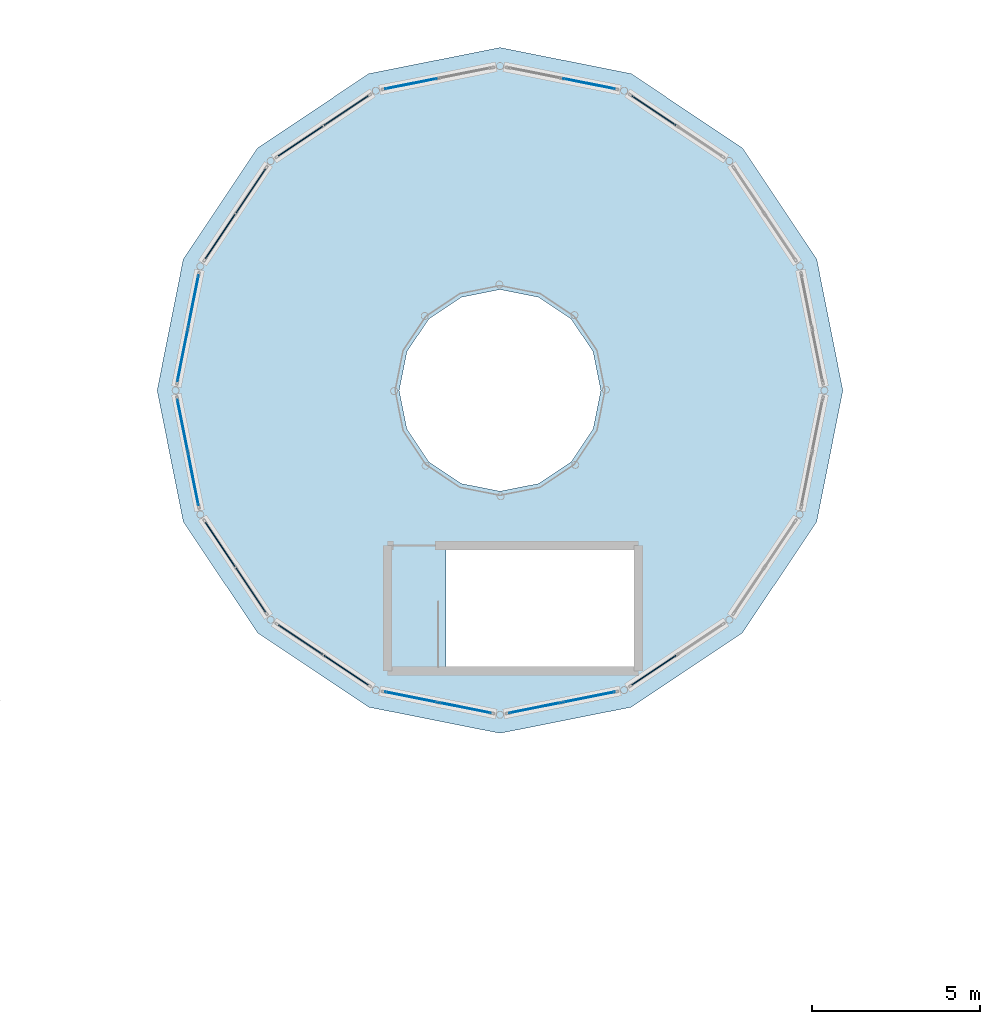
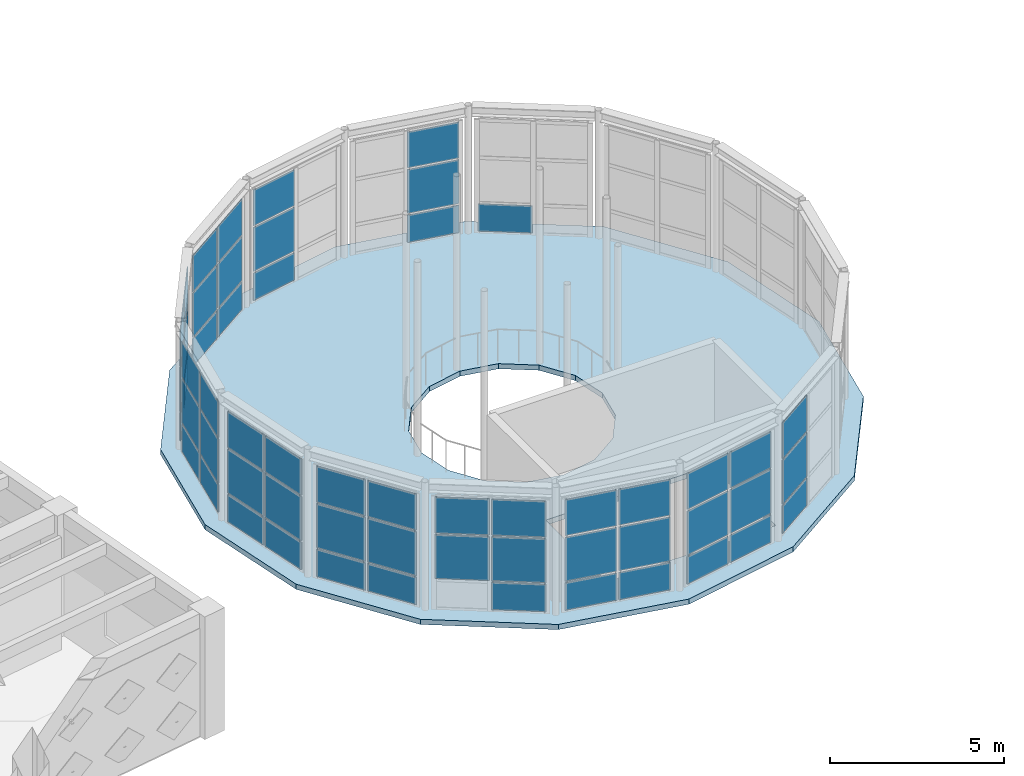
# One storey, part 54 of 80: 57 plates, 1 slab, 12 elements without a shape of their own.
"""IFC4 building model written with IfcOpenShell, lengths in metres."""

from ifc_helpers import new_model, si_unit, direction, frame, origin, origin_2d, place, context, subcontext, project, spatial, polyline, rectangle, outline, extrude, material, layer, layer_set, type_object, element, aggregate, save


model = new_model("IFC4")

# Units and contexts
model_context = context("Model", 3, precision=1e-05, world=origin(), true_north=direction((0.0, 1.0)))
body_context = subcontext(model_context, "Body", "Model", "MODEL_VIEW")
ifc_project = project(units=[si_unit("LENGTHUNIT", "METRE"), si_unit("AREAUNIT", "SQUARE_METRE"), si_unit("VOLUMEUNIT", "CUBIC_METRE"), si_unit("PLANEANGLEUNIT", "RADIAN"), si_unit("MASSUNIT", "GRAM", prefix="KILO")], contexts=[model_context])

# Site, building, storey
site_placement = place(None, origin())
site = spatial("IfcSite", under=ifc_project, at=site_placement, CompositionType="ELEMENT")
building_placement = place(site_placement, origin())
building = spatial("IfcBuilding", under=site, at=building_placement, Name="Kharisveld Research Institute", CompositionType="ELEMENT")
storey_placement = place(building_placement, frame((0.0, 0.0, 5.10009765625)))
storey = spatial("IfcBuildingStorey", under=building, at=storey_placement, Name="L01", CompositionType="ELEMENT", Elevation=5.10009765625)

# Curtain wall, plate
ifc_material_1 = material(Name="Thermally Broken Aluminium Curtain Wall", Category="aluminium")
ifc_layer_1 = layer(ifc_material_1, 0.159912109375)
ifc_layer_set_1 = layer_set([ifc_layer_1], Name="CW_SYS_03")
curtain_wall_type_1 = type_object("IfcCurtainWallType", Name="CW_SYS_03", PredefinedType="NOTDEFINED", material=ifc_layer_set_1)
curtain_wall_1_placement = place(storey_placement, origin())
curtain_wall_1 = element("IfcCurtainWall", 1, at=curtain_wall_1_placement, inside=storey, type_object=curtain_wall_type_1, Name="CW:V6:L01:CHORD02", PredefinedType="NOTDEFINED")
ifc_material_2 = material(Name="Low-E Double Glazing", Category="glass")
ifc_layer_2 = layer(ifc_material_2, 0.028076171875)
ifc_layer_set_2 = layer_set([ifc_layer_2], Name="CW_PNL_GLZ")
plate_type = type_object("IfcPlateType", Name="CW_PNL_GLZ", PredefinedType="CURTAIN_PANEL", material=ifc_layer_set_2)
plate_1_placement = place(storey_placement, frame((64.078369140625, 59.123779296875, 0.059814453125), z_axis=(0.0, 0.0, 1.0), x_axis=(0.831469694616, -0.555570109828, 0.0)))
plate_1 = element("IfcPlate", 2, at=plate_1_placement, type_object=plate_type, Name="CW-03 panel 1.1", PredefinedType="CURTAIN_PANEL", context=body_context, shape_type="SweptSolid", body=[
    extrude(rectangle(XDim=1.570068359375, YDim=0.028076171875, at=origin_2d()), origin(), (0.0, 0.0, 1.0), 0.9599609375),
])
aggregate(curtain_wall_1, [plate_1])

# Curtain wall, plates
ifc_material_3 = material(Name="Thermally Broken Aluminium Curtain Wall", Category="aluminium")
ifc_layer_3 = layer(ifc_material_3, 0.159912109375)
ifc_layer_set_3 = layer_set([ifc_layer_3], Name="CW_SYS_04")
curtain_wall_type_2 = type_object("IfcCurtainWallType", Name="CW_SYS_04", PredefinedType="NOTDEFINED", material=ifc_layer_set_3)
curtain_wall_2_placement = place(storey_placement, origin())
curtain_wall_2 = element("IfcCurtainWall", 3, at=curtain_wall_2_placement, inside=storey, type_object=curtain_wall_type_2, Name="CW:V6:L01:CHORD03", PredefinedType="NOTDEFINED")
plate_2_placement = place(storey_placement, frame((62.148193359375, 59.92333984375, 0.059814453125), z_axis=(0.0, 0.0, 1.0), x_axis=(0.980785199106, -0.195090730724, 0.0)))
plate_2 = element("IfcPlate", 4, at=plate_2_placement, type_object=plate_type, Name="CW-04 panel 2.1", PredefinedType="CURTAIN_PANEL", context=body_context, shape_type="SweptSolid", body=[
    extrude(rectangle(XDim=1.570068359375, YDim=0.028076171875, at=origin_2d()), origin(), (0.0, 0.0, 1.0), 0.9599609375),
])
plate_3_placement = place(storey_placement, frame((62.148193359375, 59.92333984375, 1.079833984375), z_axis=(0.0, 0.0, 1.0), x_axis=(0.980785199106, -0.195090730724, 0.0)))
plate_3 = element("IfcPlate", 5, at=plate_3_placement, type_object=plate_type, Name="CW-04 panel 2.2", PredefinedType="CURTAIN_PANEL", context=body_context, shape_type="SweptSolid", body=[
    extrude(rectangle(XDim=1.570068359375, YDim=0.028076171875, at=origin_2d()), origin(), (0.0, 0.0, 1.0), 1.5400390625),
])
plate_4_placement = place(storey_placement, frame((62.148193359375, 59.92333984375, 2.6796875), z_axis=(0.0, 0.0, 1.0), x_axis=(0.980785199106, -0.195090730724, 0.0)))
plate_4 = element("IfcPlate", 6, at=plate_4_placement, type_object=plate_type, Name="CW-04 panel 2.3", PredefinedType="CURTAIN_PANEL", context=body_context, shape_type="SweptSolid", body=[
    extrude(rectangle(XDim=1.570068359375, YDim=0.028076171875, at=origin_2d()), origin(), (0.0, 0.0, 1.0), 1.260009765625),
])
aggregate(curtain_wall_2, [plate_2, plate_3, plate_4])

ifc_material_4 = material(Name="Thermally Broken Aluminium Curtain Wall", Category="aluminium")
ifc_layer_4 = layer(ifc_material_4, 0.159912109375)
ifc_layer_set_4 = layer_set([ifc_layer_4], Name="CW_SYS_05")
curtain_wall_type_3 = type_object("IfcCurtainWallType", Name="CW_SYS_05", PredefinedType="NOTDEFINED", material=ifc_layer_set_4)
curtain_wall_3_placement = place(storey_placement, origin())
curtain_wall_3 = element("IfcCurtainWall", 7, at=curtain_wall_3_placement, inside=storey, type_object=curtain_wall_type_3, Name="CW:V6:L01:CHORD04", PredefinedType="NOTDEFINED")
plate_5_placement = place(storey_placement, frame((56.851806640625, 59.92333984375, 0.059814453125), z_axis=(0.0, 0.0, 1.0), x_axis=(0.980785199106, 0.195090730724, 0.0)))
plate_5 = element("IfcPlate", 8, at=plate_5_placement, type_object=plate_type, Name="CW-05 panel 1.1", PredefinedType="CURTAIN_PANEL", context=body_context, shape_type="SweptSolid", body=[
    extrude(rectangle(XDim=1.570068359375, YDim=0.028076171875, at=origin_2d()), origin(), (0.0, 0.0, 1.0), 0.9599609375),
])
plate_6_placement = place(storey_placement, frame((56.851806640625, 59.92333984375, 1.079833984375), z_axis=(0.0, 0.0, 1.0), x_axis=(0.980785199106, 0.195090730724, 0.0)))
plate_6 = element("IfcPlate", 9, at=plate_6_placement, type_object=plate_type, Name="CW-05 panel 1.2", PredefinedType="CURTAIN_PANEL", context=body_context, shape_type="SweptSolid", body=[
    extrude(rectangle(XDim=1.570068359375, YDim=0.028076171875, at=origin_2d()), origin(), (0.0, 0.0, 1.0), 1.5400390625),
])
plate_7_placement = place(storey_placement, frame((56.851806640625, 59.92333984375, 2.6796875), z_axis=(0.0, 0.0, 1.0), x_axis=(0.980785199106, 0.195090730724, 0.0)))
plate_7 = element("IfcPlate", 10, at=plate_7_placement, type_object=plate_type, Name="CW-05 panel 1.3", PredefinedType="CURTAIN_PANEL", context=body_context, shape_type="SweptSolid", body=[
    extrude(rectangle(XDim=1.570068359375, YDim=0.028076171875, at=origin_2d()), origin(), (0.0, 0.0, 1.0), 1.260009765625),
])
aggregate(curtain_wall_3, [plate_5, plate_6, plate_7])

ifc_material_5 = material(Name="Thermally Broken Aluminium Curtain Wall", Category="aluminium")
ifc_layer_5 = layer(ifc_material_5, 0.159912109375)
ifc_layer_set_5 = layer_set([ifc_layer_5], Name="CW_SYS_06")
curtain_wall_type_4 = type_object("IfcCurtainWallType", Name="CW_SYS_06", PredefinedType="NOTDEFINED", material=ifc_layer_set_5)
curtain_wall_4_placement = place(storey_placement, origin())
curtain_wall_4 = element("IfcCurtainWall", 11, at=curtain_wall_4_placement, inside=storey, type_object=curtain_wall_type_4, Name="CW:V6:L01:CHORD05", PredefinedType="NOTDEFINED")
plate_8_placement = place(storey_placement, frame((53.56201171875, 58.21533203125, 0.059814453125), z_axis=(0.0, 0.0, 1.0), x_axis=(0.831469694616, 0.555570109828, 0.0)))
plate_8 = element("IfcPlate", 12, at=plate_8_placement, type_object=plate_type, Name="CW-06 panel 1.1", PredefinedType="CURTAIN_PANEL", context=body_context, shape_type="SweptSolid", body=[
    extrude(rectangle(XDim=1.570068359375, YDim=0.028076171875, at=origin_2d()), origin(), (0.0, 0.0, 1.0), 0.9599609375),
])
plate_9_placement = place(storey_placement, frame((53.56201171875, 58.21533203125, 1.079833984375), z_axis=(0.0, 0.0, 1.0), x_axis=(0.831469694616, 0.555570109828, 0.0)))
plate_9 = element("IfcPlate", 13, at=plate_9_placement, type_object=plate_type, Name="CW-06 panel 1.2", PredefinedType="CURTAIN_PANEL", context=body_context, shape_type="SweptSolid", body=[
    extrude(rectangle(XDim=1.570068359375, YDim=0.028076171875, at=origin_2d()), origin(), (0.0, 0.0, 1.0), 1.5400390625),
])
plate_10_placement = place(storey_placement, frame((53.56201171875, 58.21533203125, 2.6796875), z_axis=(0.0, 0.0, 1.0), x_axis=(0.831469694616, 0.555570109828, 0.0)))
plate_10 = element("IfcPlate", 14, at=plate_10_placement, type_object=plate_type, Name="CW-06 panel 1.3", PredefinedType="CURTAIN_PANEL", context=body_context, shape_type="SweptSolid", body=[
    extrude(rectangle(XDim=1.570068359375, YDim=0.028076171875, at=origin_2d()), origin(), (0.0, 0.0, 1.0), 1.260009765625),
])
plate_11_placement = place(storey_placement, frame((54.921630859375, 59.123779296875, 0.059814453125), z_axis=(0.0, 0.0, 1.0), x_axis=(0.831469694616, 0.555570109828, 0.0)))
plate_11 = element("IfcPlate", 15, at=plate_11_placement, type_object=plate_type, Name="CW-06 panel 2.1", PredefinedType="CURTAIN_PANEL", context=body_context, shape_type="SweptSolid", body=[
    extrude(rectangle(XDim=1.570068359375, YDim=0.028076171875, at=origin_2d()), origin(), (0.0, 0.0, 1.0), 0.9599609375),
])
plate_12_placement = place(storey_placement, frame((54.921630859375, 59.123779296875, 1.079833984375), z_axis=(0.0, 0.0, 1.0), x_axis=(0.831469694616, 0.555570109828, 0.0)))
plate_12 = element("IfcPlate", 16, at=plate_12_placement, type_object=plate_type, Name="CW-06 panel 2.2", PredefinedType="CURTAIN_PANEL", context=body_context, shape_type="SweptSolid", body=[
    extrude(rectangle(XDim=1.570068359375, YDim=0.028076171875, at=origin_2d()), origin(), (0.0, 0.0, 1.0), 1.5400390625),
])
plate_13_placement = place(storey_placement, frame((54.921630859375, 59.123779296875, 2.6796875), z_axis=(0.0, 0.0, 1.0), x_axis=(0.831469694616, 0.555570109828, 0.0)))
plate_13 = element("IfcPlate", 17, at=plate_13_placement, type_object=plate_type, Name="CW-06 panel 2.3", PredefinedType="CURTAIN_PANEL", context=body_context, shape_type="SweptSolid", body=[
    extrude(rectangle(XDim=1.570068359375, YDim=0.028076171875, at=origin_2d()), origin(), (0.0, 0.0, 1.0), 1.260009765625),
])
aggregate(curtain_wall_4, [plate_8, plate_9, plate_10, plate_11, plate_12, plate_13])

ifc_material_6 = material(Name="Thermally Broken Aluminium Curtain Wall", Category="aluminium")
ifc_layer_6 = layer(ifc_material_6, 0.159912109375)
ifc_layer_set_6 = layer_set([ifc_layer_6], Name="CW_SYS_01")
curtain_wall_type_5 = type_object("IfcCurtainWallType", Name="CW_SYS_01", PredefinedType="NOTDEFINED", material=ifc_layer_set_6)
curtain_wall_5_placement = place(storey_placement, origin())
curtain_wall_5 = element("IfcCurtainWall", 18, at=curtain_wall_5_placement, inside=storey, type_object=curtain_wall_type_5, Name="CW:V6:L01:CHORD06", PredefinedType="NOTDEFINED")
plate_14_placement = place(storey_placement, frame((51.17626953125, 55.37841796875, 0.059814453125), z_axis=(0.0, 0.0, 1.0), x_axis=(0.555570109828, 0.831469694616, 0.0)))
plate_14 = element("IfcPlate", 19, at=plate_14_placement, type_object=plate_type, Name="CW-01 panel 1.1", PredefinedType="CURTAIN_PANEL", context=body_context, shape_type="SweptSolid", body=[
    extrude(rectangle(XDim=1.570068359375, YDim=0.028076171875, at=origin_2d()), origin(), (0.0, 0.0, 1.0), 0.9599609375),
])
plate_15_placement = place(storey_placement, frame((51.17626953125, 55.37841796875, 1.079833984375), z_axis=(0.0, 0.0, 1.0), x_axis=(0.555570109828, 0.831469694616, 0.0)))
plate_15 = element("IfcPlate", 20, at=plate_15_placement, type_object=plate_type, Name="CW-01 panel 1.2", PredefinedType="CURTAIN_PANEL", context=body_context, shape_type="SweptSolid", body=[
    extrude(rectangle(XDim=1.570068359375, YDim=0.028076171875, at=origin_2d()), origin(), (0.0, 0.0, 1.0), 1.5400390625),
])
plate_16_placement = place(storey_placement, frame((51.17626953125, 55.37841796875, 2.6796875), z_axis=(0.0, 0.0, 1.0), x_axis=(0.555570109828, 0.831469694616, 0.0)))
plate_16 = element("IfcPlate", 21, at=plate_16_placement, type_object=plate_type, Name="CW-01 panel 1.3", PredefinedType="CURTAIN_PANEL", context=body_context, shape_type="SweptSolid", body=[
    extrude(rectangle(XDim=1.570068359375, YDim=0.028076171875, at=origin_2d()), origin(), (0.0, 0.0, 1.0), 1.260009765625),
])
plate_17_placement = place(storey_placement, frame((52.084716796875, 56.738037109375, 0.059814453125), z_axis=(0.0, 0.0, 1.0), x_axis=(0.555570109828, 0.831469694616, 0.0)))
plate_17 = element("IfcPlate", 22, at=plate_17_placement, type_object=plate_type, Name="CW-01 panel 2.1", PredefinedType="CURTAIN_PANEL", context=body_context, shape_type="SweptSolid", body=[
    extrude(rectangle(XDim=1.570068359375, YDim=0.028076171875, at=origin_2d()), origin(), (0.0, 0.0, 1.0), 0.9599609375),
])
plate_18_placement = place(storey_placement, frame((52.084716796875, 56.738037109375, 1.079833984375), z_axis=(0.0, 0.0, 1.0), x_axis=(0.555570109828, 0.831469694616, 0.0)))
plate_18 = element("IfcPlate", 23, at=plate_18_placement, type_object=plate_type, Name="CW-01 panel 2.2", PredefinedType="CURTAIN_PANEL", context=body_context, shape_type="SweptSolid", body=[
    extrude(rectangle(XDim=1.570068359375, YDim=0.028076171875, at=origin_2d()), origin(), (0.0, 0.0, 1.0), 1.5400390625),
])
plate_19_placement = place(storey_placement, frame((52.084716796875, 56.738037109375, 2.6796875), z_axis=(0.0, 0.0, 1.0), x_axis=(0.555570109828, 0.831469694616, 0.0)))
plate_19 = element("IfcPlate", 24, at=plate_19_placement, type_object=plate_type, Name="CW-01 panel 2.3", PredefinedType="CURTAIN_PANEL", context=body_context, shape_type="SweptSolid", body=[
    extrude(rectangle(XDim=1.570068359375, YDim=0.028076171875, at=origin_2d()), origin(), (0.0, 0.0, 1.0), 1.260009765625),
])
aggregate(curtain_wall_5, [plate_14, plate_15, plate_16, plate_17, plate_18, plate_19])

ifc_material_7 = material(Name="Thermally Broken Aluminium Curtain Wall", Category="aluminium")
ifc_layer_7 = layer(ifc_material_7, 0.159912109375)
ifc_layer_set_7 = layer_set([ifc_layer_7], Name="CW_SYS_02")
curtain_wall_type_6 = type_object("IfcCurtainWallType", Name="CW_SYS_02", PredefinedType="NOTDEFINED", material=ifc_layer_set_7)
curtain_wall_6_placement = place(storey_placement, origin())
curtain_wall_6 = element("IfcCurtainWall", 25, at=curtain_wall_6_placement, inside=storey, type_object=curtain_wall_type_6, Name="CW:V6:L01:CHORD07", PredefinedType="NOTDEFINED")
plate_20_placement = place(storey_placement, frame((50.057861328125, 51.844482421875, 0.059814453125), z_axis=(0.0, 0.0, 1.0), x_axis=(0.195090730724, 0.980785199106, 0.0)))
plate_20 = element("IfcPlate", 26, at=plate_20_placement, type_object=plate_type, Name="CW-02 panel 1.1", PredefinedType="CURTAIN_PANEL", context=body_context, shape_type="SweptSolid", body=[
    extrude(rectangle(XDim=1.570068359375, YDim=0.028076171875, at=origin_2d()), origin(), (0.0, 0.0, 1.0), 0.9599609375),
])
plate_21_placement = place(storey_placement, frame((50.057861328125, 51.844482421875, 1.079833984375), z_axis=(0.0, 0.0, 1.0), x_axis=(0.195090730724, 0.980785199106, 0.0)))
plate_21 = element("IfcPlate", 27, at=plate_21_placement, type_object=plate_type, Name="CW-02 panel 1.2", PredefinedType="CURTAIN_PANEL", context=body_context, shape_type="SweptSolid", body=[
    extrude(rectangle(XDim=1.570068359375, YDim=0.028076171875, at=origin_2d()), origin(), (0.0, 0.0, 1.0), 1.5400390625),
])
plate_22_placement = place(storey_placement, frame((50.057861328125, 51.844482421875, 2.6796875), z_axis=(0.0, 0.0, 1.0), x_axis=(0.195090730724, 0.980785199106, 0.0)))
plate_22 = element("IfcPlate", 28, at=plate_22_placement, type_object=plate_type, Name="CW-02 panel 1.3", PredefinedType="CURTAIN_PANEL", context=body_context, shape_type="SweptSolid", body=[
    extrude(rectangle(XDim=1.570068359375, YDim=0.028076171875, at=origin_2d()), origin(), (0.0, 0.0, 1.0), 1.260009765625),
])
plate_23_placement = place(storey_placement, frame((50.376708984375, 53.4482421875, 0.059814453125), z_axis=(0.0, 0.0, 1.0), x_axis=(0.195090730724, 0.980785199106, 0.0)))
plate_23 = element("IfcPlate", 29, at=plate_23_placement, type_object=plate_type, Name="CW-02 panel 2.1", PredefinedType="CURTAIN_PANEL", context=body_context, shape_type="SweptSolid", body=[
    extrude(rectangle(XDim=1.570068359375, YDim=0.028076171875, at=origin_2d()), origin(), (0.0, 0.0, 1.0), 0.9599609375),
])
plate_24_placement = place(storey_placement, frame((50.376708984375, 53.4482421875, 1.079833984375), z_axis=(0.0, 0.0, 1.0), x_axis=(0.195090730724, 0.980785199106, 0.0)))
plate_24 = element("IfcPlate", 30, at=plate_24_placement, type_object=plate_type, Name="CW-02 panel 2.2", PredefinedType="CURTAIN_PANEL", context=body_context, shape_type="SweptSolid", body=[
    extrude(rectangle(XDim=1.570068359375, YDim=0.028076171875, at=origin_2d()), origin(), (0.0, 0.0, 1.0), 1.5400390625),
])
plate_25_placement = place(storey_placement, frame((50.376708984375, 53.4482421875, 2.6796875), z_axis=(0.0, 0.0, 1.0), x_axis=(0.195090730724, 0.980785199106, 0.0)))
plate_25 = element("IfcPlate", 31, at=plate_25_placement, type_object=plate_type, Name="CW-02 panel 2.3", PredefinedType="CURTAIN_PANEL", context=body_context, shape_type="SweptSolid", body=[
    extrude(rectangle(XDim=1.570068359375, YDim=0.028076171875, at=origin_2d()), origin(), (0.0, 0.0, 1.0), 1.260009765625),
])
aggregate(curtain_wall_6, [plate_20, plate_21, plate_22, plate_23, plate_24, plate_25])

curtain_wall_7_placement = place(storey_placement, origin())
curtain_wall_7 = element("IfcCurtainWall", 32, at=curtain_wall_7_placement, inside=storey, type_object=curtain_wall_type_1, Name="CW:V6:L01:CHORD08", PredefinedType="NOTDEFINED")
plate_26_placement = place(storey_placement, frame((50.376708984375, 48.151611328125, 0.059814453125), z_axis=(0.0, 0.0, 1.0), x_axis=(-0.195090730724, 0.980785199106, 0.0)))
plate_26 = element("IfcPlate", 33, at=plate_26_placement, type_object=plate_type, Name="CW-03 panel 1.1", PredefinedType="CURTAIN_PANEL", context=body_context, shape_type="SweptSolid", body=[
    extrude(rectangle(XDim=1.570068359375, YDim=0.028076171875, at=origin_2d()), origin(), (0.0, 0.0, 1.0), 0.9599609375),
])
plate_27_placement = place(storey_placement, frame((50.376708984375, 48.151611328125, 1.079833984375), z_axis=(0.0, 0.0, 1.0), x_axis=(-0.195090730724, 0.980785199106, 0.0)))
plate_27 = element("IfcPlate", 34, at=plate_27_placement, type_object=plate_type, Name="CW-03 panel 1.2", PredefinedType="CURTAIN_PANEL", context=body_context, shape_type="SweptSolid", body=[
    extrude(rectangle(XDim=1.570068359375, YDim=0.028076171875, at=origin_2d()), origin(), (0.0, 0.0, 1.0), 1.5400390625),
])
plate_28_placement = place(storey_placement, frame((50.376708984375, 48.151611328125, 2.6796875), z_axis=(0.0, 0.0, 1.0), x_axis=(-0.195090730724, 0.980785199106, 0.0)))
plate_28 = element("IfcPlate", 35, at=plate_28_placement, type_object=plate_type, Name="CW-03 panel 1.3", PredefinedType="CURTAIN_PANEL", context=body_context, shape_type="SweptSolid", body=[
    extrude(rectangle(XDim=1.570068359375, YDim=0.028076171875, at=origin_2d()), origin(), (0.0, 0.0, 1.0), 1.260009765625),
])
plate_29_placement = place(storey_placement, frame((50.057861328125, 49.75537109375, 0.059814453125), z_axis=(0.0, 0.0, 1.0), x_axis=(-0.195090730724, 0.980785199106, 0.0)))
plate_29 = element("IfcPlate", 36, at=plate_29_placement, type_object=plate_type, Name="CW-03 panel 2.1", PredefinedType="CURTAIN_PANEL", context=body_context, shape_type="SweptSolid", body=[
    extrude(rectangle(XDim=1.570068359375, YDim=0.028076171875, at=origin_2d()), origin(), (0.0, 0.0, 1.0), 0.9599609375),
])
plate_30_placement = place(storey_placement, frame((50.057861328125, 49.75537109375, 1.079833984375), z_axis=(0.0, 0.0, 1.0), x_axis=(-0.195090730724, 0.980785199106, 0.0)))
plate_30 = element("IfcPlate", 37, at=plate_30_placement, type_object=plate_type, Name="CW-03 panel 2.2", PredefinedType="CURTAIN_PANEL", context=body_context, shape_type="SweptSolid", body=[
    extrude(rectangle(XDim=1.570068359375, YDim=0.028076171875, at=origin_2d()), origin(), (0.0, 0.0, 1.0), 1.5400390625),
])
plate_31_placement = place(storey_placement, frame((50.057861328125, 49.75537109375, 2.6796875), z_axis=(0.0, 0.0, 1.0), x_axis=(-0.195090730724, 0.980785199106, 0.0)))
plate_31 = element("IfcPlate", 38, at=plate_31_placement, type_object=plate_type, Name="CW-03 panel 2.3", PredefinedType="CURTAIN_PANEL", context=body_context, shape_type="SweptSolid", body=[
    extrude(rectangle(XDim=1.570068359375, YDim=0.028076171875, at=origin_2d()), origin(), (0.0, 0.0, 1.0), 1.260009765625),
])
aggregate(curtain_wall_7, [plate_26, plate_27, plate_28, plate_29, plate_30, plate_31])

curtain_wall_8_placement = place(storey_placement, origin())
curtain_wall_8 = element("IfcCurtainWall", 39, at=curtain_wall_8_placement, inside=storey, type_object=curtain_wall_type_2, Name="CW:V6:L01:CHORD09", PredefinedType="NOTDEFINED")
plate_32_placement = place(storey_placement, frame((52.084716796875, 44.862060546875, 0.059814453125), z_axis=(0.0, 0.0, 1.0), x_axis=(-0.555570109828, 0.831469694616, 0.0)))
plate_32 = element("IfcPlate", 40, at=plate_32_placement, type_object=plate_type, Name="CW-04 panel 1.1", PredefinedType="CURTAIN_PANEL", context=body_context, shape_type="SweptSolid", body=[
    extrude(rectangle(XDim=1.570068359375, YDim=0.028076171875, at=origin_2d()), origin(), (0.0, 0.0, 1.0), 0.9599609375),
])
plate_33_placement = place(storey_placement, frame((52.084716796875, 44.862060546875, 1.079833984375), z_axis=(0.0, 0.0, 1.0), x_axis=(-0.555570109828, 0.831469694616, 0.0)))
plate_33 = element("IfcPlate", 41, at=plate_33_placement, type_object=plate_type, Name="CW-04 panel 1.2", PredefinedType="CURTAIN_PANEL", context=body_context, shape_type="SweptSolid", body=[
    extrude(rectangle(XDim=1.570068359375, YDim=0.028076171875, at=origin_2d()), origin(), (0.0, 0.0, 1.0), 1.5400390625),
])
plate_34_placement = place(storey_placement, frame((52.084716796875, 44.862060546875, 2.6796875), z_axis=(0.0, 0.0, 1.0), x_axis=(-0.555570109828, 0.831469694616, 0.0)))
plate_34 = element("IfcPlate", 42, at=plate_34_placement, type_object=plate_type, Name="CW-04 panel 1.3", PredefinedType="CURTAIN_PANEL", context=body_context, shape_type="SweptSolid", body=[
    extrude(rectangle(XDim=1.570068359375, YDim=0.028076171875, at=origin_2d()), origin(), (0.0, 0.0, 1.0), 1.260009765625),
])
plate_35_placement = place(storey_placement, frame((51.17626953125, 46.221435546875, 0.059814453125), z_axis=(0.0, 0.0, 1.0), x_axis=(-0.555570109828, 0.831469694616, 0.0)))
plate_35 = element("IfcPlate", 43, at=plate_35_placement, type_object=plate_type, Name="CW-04 panel 2.1", PredefinedType="CURTAIN_PANEL", context=body_context, shape_type="SweptSolid", body=[
    extrude(rectangle(XDim=1.570068359375, YDim=0.028076171875, at=origin_2d()), origin(), (0.0, 0.0, 1.0), 0.9599609375),
])
plate_36_placement = place(storey_placement, frame((51.17626953125, 46.221435546875, 1.079833984375), z_axis=(0.0, 0.0, 1.0), x_axis=(-0.555570109828, 0.831469694616, 0.0)))
plate_36 = element("IfcPlate", 44, at=plate_36_placement, type_object=plate_type, Name="CW-04 panel 2.2", PredefinedType="CURTAIN_PANEL", context=body_context, shape_type="SweptSolid", body=[
    extrude(rectangle(XDim=1.570068359375, YDim=0.028076171875, at=origin_2d()), origin(), (0.0, 0.0, 1.0), 1.5400390625),
])
plate_37_placement = place(storey_placement, frame((51.17626953125, 46.221435546875, 2.6796875), z_axis=(0.0, 0.0, 1.0), x_axis=(-0.555570109828, 0.831469694616, 0.0)))
plate_37 = element("IfcPlate", 45, at=plate_37_placement, type_object=plate_type, Name="CW-04 panel 2.3", PredefinedType="CURTAIN_PANEL", context=body_context, shape_type="SweptSolid", body=[
    extrude(rectangle(XDim=1.570068359375, YDim=0.028076171875, at=origin_2d()), origin(), (0.0, 0.0, 1.0), 1.260009765625),
])
aggregate(curtain_wall_8, [plate_32, plate_33, plate_34, plate_35, plate_36, plate_37])

curtain_wall_9_placement = place(storey_placement, origin())
curtain_wall_9 = element("IfcCurtainWall", 46, at=curtain_wall_9_placement, inside=storey, type_object=curtain_wall_type_3, Name="CW:V6:L01:CHORD10", PredefinedType="NOTDEFINED")
plate_38_placement = place(storey_placement, frame((54.921630859375, 42.476318359375, 0.059814453125), z_axis=(0.0, 0.0, 1.0), x_axis=(-0.831469694616, 0.555570109828, 0.0)))
plate_38 = element("IfcPlate", 47, at=plate_38_placement, type_object=plate_type, Name="CW-05 panel 1.1", PredefinedType="CURTAIN_PANEL", context=body_context, shape_type="SweptSolid", body=[
    extrude(rectangle(XDim=1.570068359375, YDim=0.028076171875, at=origin_2d()), origin(), (0.0, 0.0, 1.0), 0.9599609375),
])
plate_39_placement = place(storey_placement, frame((54.921630859375, 42.476318359375, 1.079833984375), z_axis=(0.0, 0.0, 1.0), x_axis=(-0.831469694616, 0.555570109828, 0.0)))
plate_39 = element("IfcPlate", 48, at=plate_39_placement, type_object=plate_type, Name="CW-05 panel 1.2", PredefinedType="CURTAIN_PANEL", context=body_context, shape_type="SweptSolid", body=[
    extrude(rectangle(XDim=1.570068359375, YDim=0.028076171875, at=origin_2d()), origin(), (0.0, 0.0, 1.0), 1.5400390625),
])
plate_40_placement = place(storey_placement, frame((54.921630859375, 42.476318359375, 2.6796875), z_axis=(0.0, 0.0, 1.0), x_axis=(-0.831469694616, 0.555570109828, 0.0)))
plate_40 = element("IfcPlate", 49, at=plate_40_placement, type_object=plate_type, Name="CW-05 panel 1.3", PredefinedType="CURTAIN_PANEL", context=body_context, shape_type="SweptSolid", body=[
    extrude(rectangle(XDim=1.570068359375, YDim=0.028076171875, at=origin_2d()), origin(), (0.0, 0.0, 1.0), 1.260009765625),
])
plate_41_placement = place(storey_placement, frame((53.56201171875, 43.384765625, 1.079833984375), z_axis=(0.0, 0.0, 1.0), x_axis=(-0.831469694616, 0.555570109828, 0.0)))
plate_41 = element("IfcPlate", 50, at=plate_41_placement, type_object=plate_type, Name="CW-05 panel 2.2", PredefinedType="CURTAIN_PANEL", context=body_context, shape_type="SweptSolid", body=[
    extrude(rectangle(XDim=1.570068359375, YDim=0.028076171875, at=origin_2d()), origin(), (0.0, 0.0, 1.0), 1.5400390625),
])
plate_42_placement = place(storey_placement, frame((53.56201171875, 43.384765625, 2.6796875), z_axis=(0.0, 0.0, 1.0), x_axis=(-0.831469694616, 0.555570109828, 0.0)))
plate_42 = element("IfcPlate", 51, at=plate_42_placement, type_object=plate_type, Name="CW-05 panel 2.3", PredefinedType="CURTAIN_PANEL", context=body_context, shape_type="SweptSolid", body=[
    extrude(rectangle(XDim=1.570068359375, YDim=0.028076171875, at=origin_2d()), origin(), (0.0, 0.0, 1.0), 1.260009765625),
])
aggregate(curtain_wall_9, [plate_38, plate_39, plate_40, plate_41, plate_42])

curtain_wall_10_placement = place(storey_placement, origin())
curtain_wall_10 = element("IfcCurtainWall", 52, at=curtain_wall_10_placement, inside=storey, type_object=curtain_wall_type_4, Name="CW:V6:L01:CHORD11", PredefinedType="NOTDEFINED")
plate_43_placement = place(storey_placement, frame((58.455322265625, 41.357666015625, 0.059814453125), z_axis=(0.0, 0.0, 1.0), x_axis=(-0.980785199106, 0.195090730724, 0.0)))
plate_43 = element("IfcPlate", 53, at=plate_43_placement, type_object=plate_type, Name="CW-06 panel 1.1", PredefinedType="CURTAIN_PANEL", context=body_context, shape_type="SweptSolid", body=[
    extrude(rectangle(XDim=1.570068359375, YDim=0.028076171875, at=origin_2d()), origin(), (0.0, 0.0, 1.0), 0.9599609375),
])
plate_44_placement = place(storey_placement, frame((58.455322265625, 41.357666015625, 1.079833984375), z_axis=(0.0, 0.0, 1.0), x_axis=(-0.980785199106, 0.195090730724, 0.0)))
plate_44 = element("IfcPlate", 54, at=plate_44_placement, type_object=plate_type, Name="CW-06 panel 1.2", PredefinedType="CURTAIN_PANEL", context=body_context, shape_type="SweptSolid", body=[
    extrude(rectangle(XDim=1.570068359375, YDim=0.028076171875, at=origin_2d()), origin(), (0.0, 0.0, 1.0), 1.5400390625),
])
plate_45_placement = place(storey_placement, frame((58.455322265625, 41.357666015625, 2.6796875), z_axis=(0.0, 0.0, 1.0), x_axis=(-0.980785199106, 0.195090730724, 0.0)))
plate_45 = element("IfcPlate", 55, at=plate_45_placement, type_object=plate_type, Name="CW-06 panel 1.3", PredefinedType="CURTAIN_PANEL", context=body_context, shape_type="SweptSolid", body=[
    extrude(rectangle(XDim=1.570068359375, YDim=0.028076171875, at=origin_2d()), origin(), (0.0, 0.0, 1.0), 1.260009765625),
])
plate_46_placement = place(storey_placement, frame((56.851806640625, 41.6767578125, 0.059814453125), z_axis=(0.0, 0.0, 1.0), x_axis=(-0.980785199106, 0.195090730724, 0.0)))
plate_46 = element("IfcPlate", 56, at=plate_46_placement, type_object=plate_type, Name="CW-06 panel 2.1", PredefinedType="CURTAIN_PANEL", context=body_context, shape_type="SweptSolid", body=[
    extrude(rectangle(XDim=1.570068359375, YDim=0.028076171875, at=origin_2d()), origin(), (0.0, 0.0, 1.0), 0.9599609375),
])
plate_47_placement = place(storey_placement, frame((56.851806640625, 41.6767578125, 1.079833984375), z_axis=(0.0, 0.0, 1.0), x_axis=(-0.980785199106, 0.195090730724, 0.0)))
plate_47 = element("IfcPlate", 57, at=plate_47_placement, type_object=plate_type, Name="CW-06 panel 2.2", PredefinedType="CURTAIN_PANEL", context=body_context, shape_type="SweptSolid", body=[
    extrude(rectangle(XDim=1.570068359375, YDim=0.028076171875, at=origin_2d()), origin(), (0.0, 0.0, 1.0), 1.5400390625),
])
plate_48_placement = place(storey_placement, frame((56.851806640625, 41.6767578125, 2.6796875), z_axis=(0.0, 0.0, 1.0), x_axis=(-0.980785199106, 0.195090730724, 0.0)))
plate_48 = element("IfcPlate", 58, at=plate_48_placement, type_object=plate_type, Name="CW-06 panel 2.3", PredefinedType="CURTAIN_PANEL", context=body_context, shape_type="SweptSolid", body=[
    extrude(rectangle(XDim=1.570068359375, YDim=0.028076171875, at=origin_2d()), origin(), (0.0, 0.0, 1.0), 1.260009765625),
])
aggregate(curtain_wall_10, [plate_43, plate_44, plate_45, plate_46, plate_47, plate_48])

curtain_wall_11_placement = place(storey_placement, origin())
curtain_wall_11 = element("IfcCurtainWall", 59, at=curtain_wall_11_placement, inside=storey, type_object=curtain_wall_type_5, Name="CW:V6:L01:CHORD12", PredefinedType="NOTDEFINED")
plate_49_placement = place(storey_placement, frame((62.148193359375, 41.6767578125, 0.059814453125), z_axis=(0.0, 0.0, 1.0), x_axis=(-0.980785199106, -0.195090730724, 0.0)))
plate_49 = element("IfcPlate", 60, at=plate_49_placement, type_object=plate_type, Name="CW-01 panel 1.1", PredefinedType="CURTAIN_PANEL", context=body_context, shape_type="SweptSolid", body=[
    extrude(rectangle(XDim=1.570068359375, YDim=0.028076171875, at=origin_2d()), origin(), (0.0, 0.0, 1.0), 0.9599609375),
])
plate_50_placement = place(storey_placement, frame((62.148193359375, 41.6767578125, 1.079833984375), z_axis=(0.0, 0.0, 1.0), x_axis=(-0.980785199106, -0.195090730724, 0.0)))
plate_50 = element("IfcPlate", 61, at=plate_50_placement, type_object=plate_type, Name="CW-01 panel 1.2", PredefinedType="CURTAIN_PANEL", context=body_context, shape_type="SweptSolid", body=[
    extrude(rectangle(XDim=1.570068359375, YDim=0.028076171875, at=origin_2d()), origin(), (0.0, 0.0, 1.0), 1.5400390625),
])
plate_51_placement = place(storey_placement, frame((62.148193359375, 41.6767578125, 2.6796875), z_axis=(0.0, 0.0, 1.0), x_axis=(-0.980785199106, -0.195090730724, 0.0)))
plate_51 = element("IfcPlate", 62, at=plate_51_placement, type_object=plate_type, Name="CW-01 panel 1.3", PredefinedType="CURTAIN_PANEL", context=body_context, shape_type="SweptSolid", body=[
    extrude(rectangle(XDim=1.570068359375, YDim=0.028076171875, at=origin_2d()), origin(), (0.0, 0.0, 1.0), 1.260009765625),
])
plate_52_placement = place(storey_placement, frame((60.544677734375, 41.357666015625, 0.059814453125), z_axis=(0.0, 0.0, 1.0), x_axis=(-0.980785199106, -0.195090730724, 0.0)))
plate_52 = element("IfcPlate", 63, at=plate_52_placement, type_object=plate_type, Name="CW-01 panel 2.1", PredefinedType="CURTAIN_PANEL", context=body_context, shape_type="SweptSolid", body=[
    extrude(rectangle(XDim=1.570068359375, YDim=0.028076171875, at=origin_2d()), origin(), (0.0, 0.0, 1.0), 0.9599609375),
])
plate_53_placement = place(storey_placement, frame((60.544677734375, 41.357666015625, 1.079833984375), z_axis=(0.0, 0.0, 1.0), x_axis=(-0.980785199106, -0.195090730724, 0.0)))
plate_53 = element("IfcPlate", 64, at=plate_53_placement, type_object=plate_type, Name="CW-01 panel 2.2", PredefinedType="CURTAIN_PANEL", context=body_context, shape_type="SweptSolid", body=[
    extrude(rectangle(XDim=1.570068359375, YDim=0.028076171875, at=origin_2d()), origin(), (0.0, 0.0, 1.0), 1.5400390625),
])
plate_54_placement = place(storey_placement, frame((60.544677734375, 41.357666015625, 2.6796875), z_axis=(0.0, 0.0, 1.0), x_axis=(-0.980785199106, -0.195090730724, 0.0)))
plate_54 = element("IfcPlate", 65, at=plate_54_placement, type_object=plate_type, Name="CW-01 panel 2.3", PredefinedType="CURTAIN_PANEL", context=body_context, shape_type="SweptSolid", body=[
    extrude(rectangle(XDim=1.570068359375, YDim=0.028076171875, at=origin_2d()), origin(), (0.0, 0.0, 1.0), 1.260009765625),
])
aggregate(curtain_wall_11, [plate_49, plate_50, plate_51, plate_52, plate_53, plate_54])

curtain_wall_12_placement = place(storey_placement, origin())
curtain_wall_12 = element("IfcCurtainWall", 66, at=curtain_wall_12_placement, inside=storey, type_object=curtain_wall_type_6, Name="CW:V6:L01:CHORD13", PredefinedType="NOTDEFINED")
plate_55_placement = place(storey_placement, frame((64.078369140625, 42.476318359375, 0.059814453125), z_axis=(0.0, 0.0, 1.0), x_axis=(-0.831469694616, -0.555570109828, 0.0)))
plate_55 = element("IfcPlate", 67, at=plate_55_placement, type_object=plate_type, Name="CW-02 panel 2.1", PredefinedType="CURTAIN_PANEL", context=body_context, shape_type="SweptSolid", body=[
    extrude(rectangle(XDim=1.570068359375, YDim=0.028076171875, at=origin_2d()), origin(), (0.0, 0.0, 1.0), 0.9599609375),
])
plate_56_placement = place(storey_placement, frame((64.078369140625, 42.476318359375, 1.079833984375), z_axis=(0.0, 0.0, 1.0), x_axis=(-0.831469694616, -0.555570109828, 0.0)))
plate_56 = element("IfcPlate", 68, at=plate_56_placement, type_object=plate_type, Name="CW-02 panel 2.2", PredefinedType="CURTAIN_PANEL", context=body_context, shape_type="SweptSolid", body=[
    extrude(rectangle(XDim=1.570068359375, YDim=0.028076171875, at=origin_2d()), origin(), (0.0, 0.0, 1.0), 1.5400390625),
])
plate_57_placement = place(storey_placement, frame((64.078369140625, 42.476318359375, 2.6796875), z_axis=(0.0, 0.0, 1.0), x_axis=(-0.831469694616, -0.555570109828, 0.0)))
plate_57 = element("IfcPlate", 69, at=plate_57_placement, type_object=plate_type, Name="CW-02 panel 2.3", PredefinedType="CURTAIN_PANEL", context=body_context, shape_type="SweptSolid", body=[
    extrude(rectangle(XDim=1.570068359375, YDim=0.028076171875, at=origin_2d()), origin(), (0.0, 0.0, 1.0), 1.260009765625),
])
aggregate(curtain_wall_12, [plate_55, plate_56, plate_57])

# Slab
ifc_material_8 = material(Name="Concrete C40/50", Category="concrete")
ifc_layer_8 = layer(ifc_material_8, 0.179931640625)
ifc_layer_set_8 = layer_set([ifc_layer_8], Name="SL_FLR_180")
slab_type = type_object("IfcSlabType", Name="SL_FLR_180", PredefinedType="FLOOR", material=ifc_layer_set_8)
slab_placement = place(storey_placement, frame((0.0, 0.0, -0.18017578125)))
element("IfcSlab", 70, at=slab_placement, inside=storey, type_object=slab_type, Name="SLAB:V6:L01:MAIN", PredefinedType="FLOOR", context=body_context, shape_type="SweptSolid", body=[
    extrude(outline(polyline([(69.699951171875, 50.800048828125), (68.923583984375, 54.703369140625), (66.71240234375, 58.012451171875), (63.4033203125, 60.2236328125), (59.5, 61.0), (55.5966796875, 60.2236328125), (52.28759765625, 58.012451171875), (50.076416015625, 54.703369140625), (49.300048828125, 50.800048828125), (50.076416015625, 46.896728515625), (52.28759765625, 43.58740234375), (55.5966796875, 41.37646484375), (59.5, 40.60009765625), (63.4033203125, 41.37646484375), (66.71240234375, 43.58740234375), (68.923583984375, 46.896728515625), (69.699951171875, 50.800048828125)]), holes=[polyline([(62.5, 50.800048828125), (62.271728515625, 51.947998046875), (61.621337890625, 52.92138671875), (60.64794921875, 53.571533203125), (59.5, 53.800048828125), (58.35205078125, 53.571533203125), (57.378662109375, 52.92138671875), (56.728271484375, 51.947998046875), (56.5, 50.800048828125), (56.728271484375, 49.65185546875), (57.378662109375, 48.6787109375), (58.35205078125, 48.0283203125), (59.5, 47.800048828125), (60.64794921875, 48.0283203125), (61.621337890625, 48.6787109375), (62.271728515625, 49.65185546875), (62.5, 50.800048828125)]), polyline([(57.89990234375, 42.550048828125), (63.5, 42.550048828125), (63.5, 46.090087890625), (57.89990234375, 46.090087890625), (57.89990234375, 42.550048828125)])]), origin(), (0.0, 0.0, 1.0), 0.18017578125),
])

save(model, "model.ifc")
